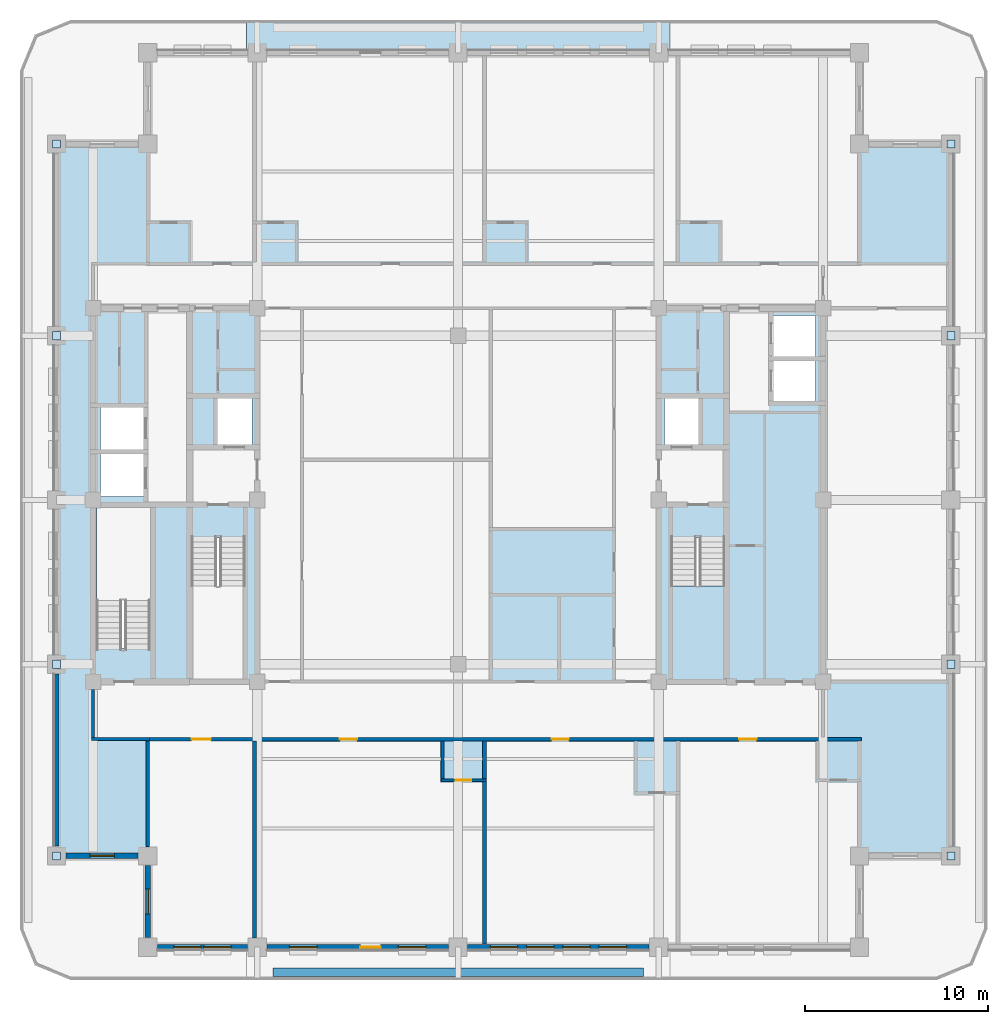
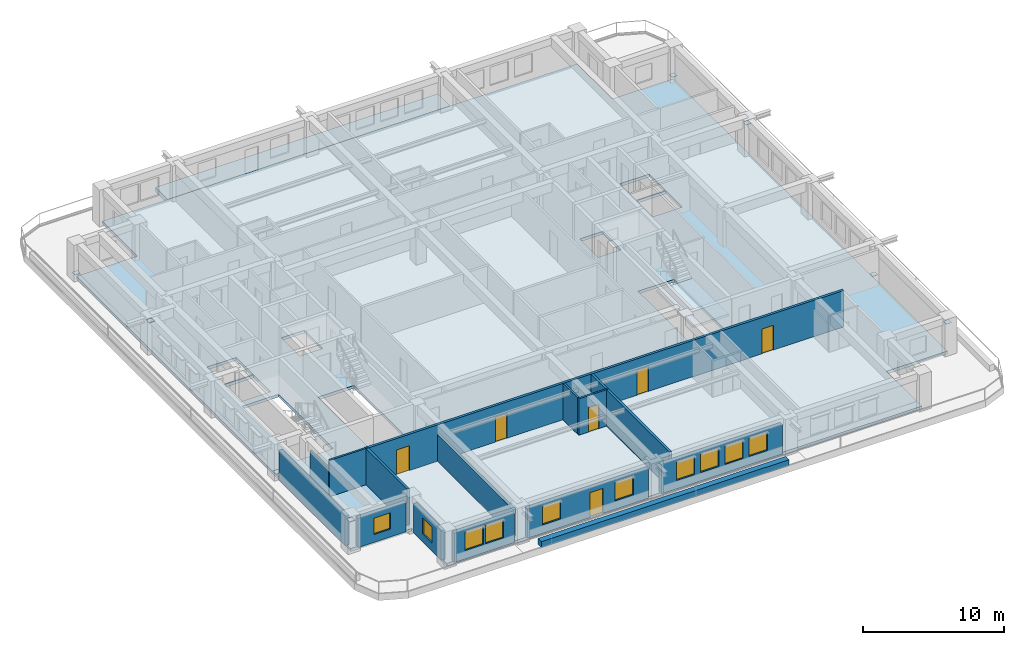
# One storey, part 2 of 14: 16 walls, 10 windows, 8 plates, 6 doors, 3 slabs, 16 openings, 1 element without a shape of its own.
"""IFC4 building model written with IfcOpenShell, lengths in metres."""

from ifc_helpers import new_model, si_unit, direction, frame, frame_2d, origin, origin_2d, place, context, subcontext, project, spatial, polyline, rectangle, outline, extrude, material, layer, layer_set, type_object, element, fill, aggregate, save


model = new_model("IFC4")

# Units and contexts
model_context = context("Model", 3, precision=1e-05, world=origin(), true_north=direction((0.0, 1.0)))
body_context = subcontext(model_context, "Body", "Model", "MODEL_VIEW")
ifc_project = project(units=[si_unit("LENGTHUNIT", "METRE"), si_unit("AREAUNIT", "SQUARE_METRE"), si_unit("VOLUMEUNIT", "CUBIC_METRE"), si_unit("PLANEANGLEUNIT", "RADIAN"), si_unit("MASSUNIT", "GRAM", prefix="KILO")], contexts=[model_context])

# Site, building, storey
site_placement = place(None, origin())
site = spatial("IfcSite", under=ifc_project, at=site_placement, CompositionType="ELEMENT")
building_placement = place(site_placement, origin())
building = spatial("IfcBuilding", under=site, at=building_placement, Name="Zulmaris Gate Convention Tower", CompositionType="ELEMENT")
storey_placement = place(building_placement, frame((0.0, 0.0, 162.659912109375)))
storey = spatial("IfcBuildingStorey", under=building, at=storey_placement, Name="L41", CompositionType="ELEMENT", Elevation=162.659912109375)

# Plates
ifc_material_1 = material(Name="Steel S460", Category="steel")
ifc_layer_1 = layer(ifc_material_1, 0.02490234375, Name="Steel S460")
ifc_layer_set_1 = layer_set([ifc_layer_1], Name="Steel S460")
plate_type = type_object("IfcPlateType", Name="NP-CAP-440", PredefinedType="USERDEFINED", material=ifc_layer_set_1)
for number, where, z_axis, x_axis, name in (
    (1, (-22.0, -9.0, 0.28759765625), (0.0, 0.0, 1.0), (1.0, 0.0, 0.0), "L41 Steel Node Plate PBR-L41-SW-W-CAP"),
    (2, (-22.0, -19.5, 2.517333984375), (0.0, 0.0, 1.0), (1.0, 0.0, 0.0), "L41 Steel Node Plate PBR-L41-SW-W-CAPB"),
    (3, (-22.0, 19.5, 0.28759765625), (0.0, 0.0, 1.0), (1.0, 0.0, 0.0), "L41 Steel Node Plate PBR-L41-NW-W-CAP"),
    (4, (-22.0, 9.0, 2.517333984375), (0.0, 0.0, 1.0), (1.0, 0.0, 0.0), "L41 Steel Node Plate PBR-L41-NW-W-CAPB"),
    (5, (27.0, -9.0, 0.28759765625), (0.0, 0.0, 1.0), (1.0, 0.0, 0.0), "L41 Steel Node Plate PBR-L41-SE-E-CAP"),
    (6, (27.0, -19.5, 2.517333984375), (0.0, 0.0, 1.0), (1.0, 0.0, 0.0), "L41 Steel Node Plate PBR-L41-SE-E-CAPB"),
    (7, (27.0, 19.5, 0.28759765625), (0.0, 0.0, 1.0), (1.0, 0.0, 0.0), "L41 Steel Node Plate PBR-L41-NE-E-CAP"),
    (8, (27.0, 9.0, 2.517333984375), (0.0, 0.0, 1.0), (1.0, 0.0, 0.0), "L41 Steel Node Plate PBR-L41-NE-E-CAPB"),
):
    element("IfcPlate", number, at=place(storey_placement, frame(where, z_axis=z_axis, x_axis=x_axis)), inside=storey, type_object=plate_type, Name=name, ObjectType="FLANGE PLATE", PredefinedType="USERDEFINED", context=body_context, shape_type="SweptSolid", body=[
        extrude(rectangle(XDim=0.43994140625, YDim=0.43994140625, at=origin_2d()), origin(), (0.0, 0.0, 1.0), 0.02490234375),
    ])

# Slabs
ifc_material_2 = material(Name="Precast concrete C50/60", Category="concrete")
ifc_layer_2 = layer(ifc_material_2, 0.239990234375, Name="Precast concrete C50/60")
ifc_layer_set_2 = layer_set([ifc_layer_2], Name="Precast concrete C50/60")
slab_type_1 = type_object("IfcSlabType", Name="SL-BAL-240", PredefinedType="FLOOR", material=ifc_layer_set_2)
slab_1_placement = place(storey_placement, frame((0.0, 0.0, -0.425048828125)))
element("IfcSlab", 9, at=slab_1_placement, inside=storey, type_object=slab_type_1, Name="L41 North Tree-Balcony Planter Slab", PredefinedType="FLOOR", context=body_context, shape_type="SweptSolid", body=[
    extrude(outline(polyline([(11.597900390625, 26.300048828125), (11.597900390625, 24.5), (-11.597900390625, 24.5), (-11.597900390625, 26.300048828125), (11.597900390625, 26.300048828125)])), origin(), (0.0, 0.0, 1.0), 0.385009765625),
])
ifc_material_3 = material(Name="Concrete C50/60", Category="concrete")
ifc_layer_3 = layer(ifc_material_3, 0.25, Name="Concrete C50/60")
ifc_layer_set_3 = layer_set([ifc_layer_3], Name="Concrete C50/60")
slab_type_2 = type_object("IfcSlabType", Name="SL-FLR-250", PredefinedType="FLOOR", material=ifc_layer_set_3)
slab_2_placement = place(storey_placement, frame((0.0, 0.0, -0.25)))
element("IfcSlab", 10, at=slab_2_placement, inside=storey, type_object=slab_type_2, Name="L41 Shifted Notched-Square Structural Floor Slab", PredefinedType="FLOOR", context=body_context, shape_type="SweptSolid", body=[
    extrude(outline(polyline([(-17.0, -24.5), (22.0, -24.5), (22.0, -19.5), (27.0, -19.5), (27.0, 19.5), (22.0, 19.5), (22.0, 24.5), (-17.0, 24.5), (-17.0, 19.5), (-22.0, 19.5), (-22.0, -19.5), (-17.0, -19.5), (-17.0, -24.5)]), holes=[polyline([(-14.6201171875, -2.080078125), (-14.6201171875, -9.85009765625), (-11.659912109375, -9.85009765625), (-11.659912109375, -2.080078125), (-14.6201171875, -2.080078125)]), polyline([(11.659912109375, -2.080078125), (11.659912109375, -9.85009765625), (14.6201171875, -9.85009765625), (14.6201171875, -2.080078125), (11.659912109375, -2.080078125)]), polyline([(-16.860107421875, -8.1201171875), (-16.860107421875, -0.35009765625), (-19.820068359375, -0.35009765625), (-19.820068359375, -8.1201171875), (-16.860107421875, -8.1201171875)]), polyline([(-13.199951171875, 3.0), (-11.300048828125, 3.0), (-11.300048828125, 5.60009765625), (-13.199951171875, 5.60009765625), (-13.199951171875, 3.0)]), polyline([(11.300048828125, 3.0), (13.199951171875, 3.0), (13.199951171875, 5.60009765625), (11.300048828125, 5.60009765625), (11.300048828125, 3.0)]), polyline([(17.199951171875, 5.39990234375), (19.60009765625, 5.39990234375), (19.60009765625, 7.699951171875), (17.199951171875, 7.699951171875), (17.199951171875, 5.39990234375)]), polyline([(17.199951171875, 7.800048828125), (19.60009765625, 7.800048828125), (19.60009765625, 10.10009765625), (17.199951171875, 10.10009765625), (17.199951171875, 7.800048828125)]), polyline([(-19.60009765625, 0.199951171875), (-17.199951171875, 0.199951171875), (-17.199951171875, 2.60009765625), (-19.60009765625, 2.60009765625), (-19.60009765625, 0.199951171875)]), polyline([(-19.60009765625, 2.699951171875), (-17.199951171875, 2.699951171875), (-17.199951171875, 5.10009765625), (-19.60009765625, 5.10009765625), (-19.60009765625, 2.699951171875)])]), origin(), (0.0, 0.0, 1.0), 0.25),
])

# Stair, slab
ifc_material_4 = material(Name="Concrete C45/55", Category="concrete")
stair_type = type_object("IfcStairType", Name="ST-CORE-DOGLEG", PredefinedType="HALF_TURN_STAIR", material=ifc_material_4)
stair_placement = place(storey_placement, origin())
stair = element("IfcStair", 11, at=stair_placement, inside=storey, type_object=stair_type, Name="L41 Core Exit Stair ST-2", PredefinedType="HALF_TURN_STAIR")
ifc_layer_4 = layer(ifc_material_4, 0.199951171875, Name="Concrete C45/55")
ifc_layer_set_4 = layer_set([ifc_layer_4], Name="Concrete C45/55")
slab_type_3 = type_object("IfcSlabType", Name="SL-LND-200", PredefinedType="LANDING", material=ifc_layer_set_4)
slab_3_placement = place(storey_placement, frame((0.0, 0.0, 1.5)))
slab_3 = element("IfcSlab", 12, at=slab_3_placement, type_object=slab_type_3, Name="ST-2 landing 1", PredefinedType="LANDING", context=body_context, shape_type="SweptSolid", body=[
    extrude(outline(polyline([(11.659912109375, -4.699951171875), (11.659912109375, -9.85009765625), (14.6201171875, -9.85009765625), (14.6201171875, -4.699951171875), (11.659912109375, -4.699951171875)])), origin(), (0.0, 0.0, 1.0), 0.199951171875),
])
aggregate(stair, [slab_3])

# Wall, opening, door
ifc_material_5 = material(Name="Gypsum Metal Stud Partition")
ifc_layer_5 = layer(ifc_material_5, 0.14990234375, Name="Gypsum Metal Stud Partition")
ifc_layer_set_5 = layer_set([ifc_layer_5], Name="Gypsum Metal Stud Partition")
wall_type_1 = type_object("IfcWallType", Name="PART-150", PredefinedType="PARTITIONING", material=ifc_layer_set_5)
wall_1_placement = place(storey_placement, frame((-0.925048828125, -15.35009765625, 0.0), z_axis=(0.0, 0.0, 1.0), x_axis=(1.0, 0.0, 0.0)))
wall_1 = element("IfcWall", 13, at=wall_1_placement, inside=storey, type_object=wall_type_1, Name="WL-L41-020", PredefinedType="PARTITIONING", context=body_context, shape_type="SweptSolid", body=[
    extrude(rectangle(XDim=2.47509765625, YDim=0.14990234375, at=frame_2d((1.237548828125, 0.0))), origin(), (0.0, 0.0, 1.0), 3.14990234375),
])
opening_1_placement = place(wall_1_placement, frame((0.800048828125, 0.0, 0.0)))
opening_1 = element("IfcOpeningElement", 14, at=opening_1_placement, cuts=wall_1, Name="Opening D-17", PredefinedType="OPENING", context=body_context, shape_type="SweptSolid", body=[
    extrude(rectangle(XDim=0.85009765625, YDim=2.10009765625, at=frame_2d((0.425048828125, 1.050048828125))), frame((0.0, 0.0849609375, 0.0), z_axis=(0.0, -1.0, 0.0), x_axis=(1.0, 0.0, 0.0)), (0.0, 0.0, 1.0), 0.169921875),
])
ifc_material_6 = material(Name="Moisture-Resistant Hardwood Timber", Category="wood")
door_type_1 = type_object("IfcDoorType", Name="DR-850", OperationType="NOTDEFINED", PredefinedType="DOOR", material=ifc_material_6)
door_1_placement = place(opening_1_placement, origin())
door_1 = element("IfcDoor", 15, at=door_1_placement, inside=storey, type_object=door_type_1, Name="L41 En-Suite Door 39", OperationType="SINGLE_SWING_RIGHT", OverallHeight=2.10009765625, OverallWidth=0.85009765625, PredefinedType="DOOR", context=body_context, shape_type="SweptSolid", body=[
    extrude(rectangle(XDim=0.85009765625, YDim=2.10009765625, at=frame_2d((0.425048828125, 1.050048828125))), frame((0.0, 0.02490234375, 0.0), z_axis=(0.0, -1.0, 0.0), x_axis=(1.0, 0.0, 0.0)), (0.0, 0.0, 1.0), 0.050048828125),
])
fill(opening_1, door_1)

# Walls
wall_2_placement = place(storey_placement, frame((-20.074951171875, -13.10009765625, 0.0), z_axis=(0.0, 0.0, 1.0), x_axis=(1.0, 0.0, 0.0)))
element("IfcWall", 16, at=wall_2_placement, inside=storey, type_object=wall_type_1, Name="WL-L41-022", PredefinedType="PARTITIONING", context=body_context, shape_type="SweptSolid", body=[
    extrude(rectangle(XDim=3.175048828125, YDim=0.14990234375, at=frame_2d((1.58740234375, 0.0))), origin(), (0.0, 0.0, 1.0), 3.14990234375),
])
wall_3_placement = place(storey_placement, frame((-20.0, -13.02197265625, 0.0), z_axis=(0.0, 0.0, 1.0), x_axis=(0.0, 1.0, 0.0)))
element("IfcWall", 17, at=wall_3_placement, inside=storey, type_object=wall_type_1, Name="WL-L41-074", PredefinedType="PARTITIONING", context=body_context, shape_type="SweptSolid", body=[
    extrude(rectangle(XDim=2.640869140625, YDim=0.14990234375, at=frame_2d((1.3203125, 0.0))), origin(), (0.0, 0.0, 1.0), 2.341796875),
])
wall_4_placement = place(storey_placement, frame((-0.85009765625, -15.27197265625, 0.0), z_axis=(0.0, 0.0, 1.0), x_axis=(0.0, 1.0, 0.0)))
element("IfcWall", 18, at=wall_4_placement, inside=storey, type_object=wall_type_1, Name="WL-L41-090", PredefinedType="PARTITIONING", context=body_context, shape_type="SweptSolid", body=[
    extrude(rectangle(XDim=2.069091796875, YDim=0.14990234375, at=frame_2d((1.03466796875, 0.0))), origin(), (0.0, 0.0, 1.0), 3.14990234375),
])

# Wall, openings, doors
ifc_material_7 = material(Name="Autoclaved Aerated Concrete Block and Plasterboard", Category="concrete")
ifc_layer_6 = layer(ifc_material_7, 0.199951171875, Name="Autoclaved Aerated Concrete Block and Plasterboard")
ifc_layer_set_6 = layer_set([ifc_layer_6], Name="Autoclaved Aerated Concrete Block and Plasterboard")
wall_type_2 = type_object("IfcWallType", Name="PART-200", PredefinedType="PARTITIONING", material=ifc_layer_set_6)
wall_5_placement = place(storey_placement, frame((-17.10009765625, -13.10009765625, 0.0), z_axis=(0.0, 0.0, 1.0), x_axis=(1.0, 0.0, 0.0)))
wall_5 = element("IfcWall", 19, at=wall_5_placement, inside=storey, type_object=wall_type_2, Name="WL-L41-023", PredefinedType="PARTITIONING", context=body_context, shape_type="SweptSolid", body=[
    extrude(rectangle(XDim=39.2001953125, YDim=0.199951171875, at=frame_2d((19.60009765625, 0.0))), origin(), (0.0, 0.0, 1.0), 3.14990234375),
])
opening_2_placement = place(wall_5_placement, frame((2.5048828125, 0.0, 0.0)))
opening_2 = element("IfcOpeningElement", 20, at=opening_2_placement, cuts=wall_5, Name="Opening D-09", PredefinedType="OPENING", context=body_context, shape_type="SweptSolid", body=[
    extrude(rectangle(XDim=1.050048828125, YDim=2.14990234375, at=frame_2d((0.52490234375, 1.074951171875))), frame((0.0, 0.10986328125, 0.0), z_axis=(0.0, -1.0, 0.0), x_axis=(1.0, 0.0, 0.0)), (0.0, 0.0, 1.0), 0.219970703125),
])
opening_3_placement = place(wall_5_placement, frame((10.625, 0.0, 0.0)))
opening_3 = element("IfcOpeningElement", 21, at=opening_3_placement, cuts=wall_5, Name="Opening D-11", PredefinedType="OPENING", context=body_context, shape_type="SweptSolid", body=[
    extrude(rectangle(XDim=0.949951171875, YDim=2.14990234375, at=frame_2d((0.47509765625, 1.074951171875))), frame((0.0, 0.10986328125, 0.0), z_axis=(0.0, -1.0, 0.0), x_axis=(1.0, 0.0, 0.0)), (0.0, 0.0, 1.0), 0.219970703125),
])
opening_4_placement = place(wall_5_placement, frame((22.22509765625, 0.0, 0.0)))
opening_4 = element("IfcOpeningElement", 22, at=opening_4_placement, cuts=wall_5, Name="Opening D-11", PredefinedType="OPENING", context=body_context, shape_type="SweptSolid", body=[
    extrude(rectangle(XDim=0.949951171875, YDim=2.14990234375, at=frame_2d((0.47509765625, 1.074951171875))), frame((0.0, 0.10986328125, 0.0), z_axis=(0.0, -1.0, 0.0), x_axis=(1.0, 0.0, 0.0)), (0.0, 0.0, 1.0), 0.219970703125),
])
opening_5_placement = place(wall_5_placement, frame((32.5048828125, 0.0, 0.0)))
opening_5 = element("IfcOpeningElement", 23, at=opening_5_placement, cuts=wall_5, Name="Opening D-11", PredefinedType="OPENING", context=body_context, shape_type="SweptSolid", body=[
    extrude(rectangle(XDim=0.949951171875, YDim=2.14990234375, at=frame_2d((0.47509765625, 1.074951171875))), frame((0.0, 0.10986328125, 0.0), z_axis=(0.0, -1.0, 0.0), x_axis=(1.0, 0.0, 0.0)), (0.0, 0.0, 1.0), 0.219970703125),
])
ifc_material_8 = material(Name="Fire-Rated Steel", Category="steel")
door_type_2 = type_object("IfcDoorType", Name="DR-1050-FD", OperationType="NOTDEFINED", PredefinedType="DOOR", material=ifc_material_8)
door_2_placement = place(opening_2_placement, origin())
door_2 = element("IfcDoor", 24, at=door_2_placement, inside=storey, type_object=door_type_2, Name="L41 Panorama Salon Door 37", OperationType="SINGLE_SWING_RIGHT", OverallHeight=2.14990234375, OverallWidth=1.050048828125, PredefinedType="DOOR", context=body_context, shape_type="SweptSolid", body=[
    extrude(rectangle(XDim=1.050048828125, YDim=2.14990234375, at=frame_2d((0.52490234375, 1.074951171875))), frame((0.0, 0.02490234375, 0.0), z_axis=(0.0, -1.0, 0.0), x_axis=(1.0, 0.0, 0.0)), (0.0, 0.0, 1.0), 0.050048828125),
])
fill(opening_2, door_2)
ifc_material_9 = material(Name="Fire-Rated Timber", Category="wood")
door_type_3 = type_object("IfcDoorType", Name="DR-950-FD", OperationType="NOTDEFINED", PredefinedType="DOOR", material=ifc_material_9)
door_3_placement = place(opening_3_placement, origin())
door_3 = element("IfcDoor", 25, at=door_3_placement, inside=storey, type_object=door_type_3, Name="L41 Hotel Executive Suite Door 38", OperationType="SINGLE_SWING_LEFT", OverallHeight=2.14990234375, OverallWidth=0.949951171875, PredefinedType="DOOR", context=body_context, shape_type="SweptSolid", body=[
    extrude(rectangle(XDim=0.949951171875, YDim=2.14990234375, at=frame_2d((0.47509765625, 1.074951171875))), frame((0.0, 0.02490234375, 0.0), z_axis=(0.0, -1.0, 0.0), x_axis=(1.0, 0.0, 0.0)), (0.0, 0.0, 1.0), 0.050048828125),
])
fill(opening_3, door_3)
door_4_placement = place(opening_4_placement, origin())
door_4 = element("IfcDoor", 26, at=door_4_placement, inside=storey, type_object=door_type_3, Name="L41 Hotel Executive Suite Door 40", OperationType="SINGLE_SWING_LEFT", OverallHeight=2.14990234375, OverallWidth=0.949951171875, PredefinedType="DOOR", context=body_context, shape_type="SweptSolid", body=[
    extrude(rectangle(XDim=0.949951171875, YDim=2.14990234375, at=frame_2d((0.47509765625, 1.074951171875))), frame((0.0, 0.02490234375, 0.0), z_axis=(0.0, -1.0, 0.0), x_axis=(1.0, 0.0, 0.0)), (0.0, 0.0, 1.0), 0.050048828125),
])
fill(opening_4, door_4)
door_5_placement = place(opening_5_placement, origin())
door_5 = element("IfcDoor", 27, at=door_5_placement, inside=storey, type_object=door_type_3, Name="L41 Hotel Executive Suite Door 42", OperationType="SINGLE_SWING_LEFT", OverallHeight=2.14990234375, OverallWidth=0.949951171875, PredefinedType="DOOR", context=body_context, shape_type="SweptSolid", body=[
    extrude(rectangle(XDim=0.949951171875, YDim=2.14990234375, at=frame_2d((0.47509765625, 1.074951171875))), frame((0.0, 0.02490234375, 0.0), z_axis=(0.0, -1.0, 0.0), x_axis=(1.0, 0.0, 0.0)), (0.0, 0.0, 1.0), 0.050048828125),
])
fill(opening_5, door_5)

# Walls
wall_6_placement = place(storey_placement, frame((-17.0, -18.993896484375, 0.0), z_axis=(0.0, 0.0, 1.0), x_axis=(0.0, 1.0, 0.0)))
element("IfcWall", 28, at=wall_6_placement, inside=storey, type_object=wall_type_2, Name="WL-L41-078", PredefinedType="PARTITIONING", context=body_context, shape_type="SweptSolid", body=[
    extrude(rectangle(XDim=5.791015625, YDim=0.199951171875, at=frame_2d((2.8955078125, 0.0))), origin(), (0.0, 0.0, 1.0), 3.14990234375),
])
wall_7_placement = place(storey_placement, frame((-11.14990234375, -23.993896484375, 0.0), z_axis=(0.0, 0.0, 1.0), x_axis=(0.0, 1.0, 0.0)))
element("IfcWall", 29, at=wall_7_placement, inside=storey, type_object=wall_type_2, Name="WL-L41-084", PredefinedType="PARTITIONING", context=body_context, shape_type="SweptSolid", body=[
    extrude(rectangle(XDim=10.791015625, YDim=0.199951171875, at=frame_2d((5.3955078125, 0.0))), origin(), (0.0, 0.0, 1.0), 2.341796875),
])
wall_8_placement = place(storey_placement, frame((1.449951171875, -24.3349609375, 0.0), z_axis=(0.0, 0.0, 1.0), x_axis=(0.0, 1.0, 0.0)))
element("IfcWall", 30, at=wall_8_placement, inside=storey, type_object=wall_type_2, Name="WL-L41-091", PredefinedType="PARTITIONING", context=body_context, shape_type="SweptSolid", body=[
    extrude(rectangle(XDim=8.906982421875, YDim=0.199951171875, at=frame_2d((4.45361328125, 0.0))), origin(), (0.0, 0.0, 1.0), 3.14990234375),
])
wall_9_placement = place(storey_placement, frame((1.449951171875, -15.27197265625, 0.0), z_axis=(0.0, 0.0, 1.0), x_axis=(0.0, 1.0, 0.0)))
element("IfcWall", 31, at=wall_9_placement, inside=storey, type_object=wall_type_2, Name="WL-L41-092", PredefinedType="PARTITIONING", context=body_context, shape_type="SweptSolid", body=[
    extrude(rectangle(XDim=2.069091796875, YDim=0.199951171875, at=frame_2d((1.03466796875, 0.0))), origin(), (0.0, 0.0, 1.0), 3.14990234375),
])
ifc_material_10 = material(Name="Botanical Green Glazed Precast Concrete C40/50", Category="concrete")
ifc_layer_7 = layer(ifc_material_10, 0.419921875, Name="Botanical Green Glazed Precast Concrete C40/50")
ifc_layer_set_7 = layer_set([ifc_layer_7], Name="Botanical Green Glazed Precast Concrete C40/50")
wall_type_3 = type_object("IfcWallType", Name="PLANTER-CURB-200", PredefinedType="PARAPET", material=ifc_layer_set_7)
wall_10_placement = place(storey_placement, frame((-10.14990234375, -25.8798828125, -0.0400390625), z_axis=(0.0, 0.0, 1.0), x_axis=(1.0, 0.0, 0.0)))
element("IfcWall", 32, at=wall_10_placement, inside=storey, type_object=wall_type_3, Name="L41 Full-Length Balcony Tree Planter Trough", PredefinedType="PARAPET", context=body_context, shape_type="SweptSolid", body=[
    extrude(rectangle(XDim=20.2998046875, YDim=0.47998046875, at=frame_2d((10.14990234375, 0.0))), origin(), (0.0, 0.0, 1.0), 0.52001953125),
])

# Wall, opening, window
ifc_material_11 = material(Name="Precast concrete C40/50", Category="concrete")
ifc_layer_8 = layer(ifc_material_11, 0.300048828125, Name="Precast concrete C40/50")
ifc_layer_set_8 = layer_set([ifc_layer_8], Name="Precast concrete C40/50")
wall_type_4 = type_object("IfcWallType", Name="PRECAST-PIER-300", PredefinedType="STANDARD", material=ifc_layer_set_8)
wall_11_placement = place(storey_placement, frame((-21.469970703125, -19.5, 0.0), z_axis=(0.0, 0.0, 1.0), x_axis=(1.0, 0.0, 0.0)))
wall_11 = element("IfcWall", 33, at=wall_11_placement, inside=storey, type_object=wall_type_4, Name="EW-L41-NOTCH-SW1_0", PredefinedType="STANDARD", context=body_context, shape_type="SweptSolid", body=[
    extrude(rectangle(XDim=3.93994140625, YDim=0.300048828125, at=frame_2d((1.969970703125, 0.0))), origin(), (0.0, 0.0, 1.0), 2.5419921875),
])
opening_6_placement = place(wall_11_placement, frame((1.294921875, 0.0, 0.679931640625)))
opening_6 = element("IfcOpeningElement", 34, at=opening_6_placement, cuts=wall_11, Name="Opening W-10", PredefinedType="OPENING", context=body_context, shape_type="SweptSolid", body=[
    extrude(rectangle(XDim=1.35009765625, YDim=1.419921875, at=frame_2d((0.675048828125, 0.7099609375))), frame((0.0, 0.16015625, 0.0), z_axis=(0.0, -1.0, 0.0), x_axis=(1.0, 0.0, 0.0)), (0.0, 0.0, 1.0), 0.320068359375),
])
ifc_material_12 = material(Name="Low-E Laminated Double Glazing in Aluminium Frame", Category="aluminium")
window_type_1 = type_object("IfcWindowType", Name="WIN-1350x2000", PartitioningType="SINGLE_PANEL", PredefinedType="WINDOW", material=ifc_material_12)
window_1_placement = place(opening_6_placement, origin())
window_1 = element("IfcWindow", 35, at=window_1_placement, inside=storey, type_object=window_type_1, Name="WN-EW-L41-NOTCH-SW1_0", OverallHeight=1.419921875, OverallWidth=1.35009765625, PartitioningType="SINGLE_PANEL", PredefinedType="WINDOW", context=body_context, shape_type="SweptSolid", body=[
    extrude(rectangle(XDim=1.35009765625, YDim=1.419921875, at=frame_2d((0.675048828125, 0.7099609375))), frame((0.0, 0.030029296875, 0.0), z_axis=(0.0, -1.0, 0.0), x_axis=(1.0, 0.0, 0.0)), (0.0, 0.0, 1.0), 0.06005859375),
])
fill(opening_6, window_1)

wall_12_placement = place(storey_placement, frame((-17.0, -20.030029296875, 0.0), z_axis=(0.0, 0.0, 1.0), x_axis=(0.0, -1.0, 0.0)))
wall_12 = element("IfcWall", 36, at=wall_12_placement, inside=storey, type_object=wall_type_4, Name="EW-L41-NOTCH-SW2_0", PredefinedType="STANDARD", context=body_context, shape_type="SweptSolid", body=[
    extrude(rectangle(XDim=3.93994140625, YDim=0.300048828125, at=frame_2d((1.969970703125, 0.0))), origin(), (0.0, 0.0, 1.0), 2.5419921875),
])
opening_7_placement = place(wall_12_placement, frame((1.294921875, 0.0, 0.679931640625)))
opening_7 = element("IfcOpeningElement", 37, at=opening_7_placement, cuts=wall_12, Name="Opening W-10", PredefinedType="OPENING", context=body_context, shape_type="SweptSolid", body=[
    extrude(rectangle(XDim=1.35009765625, YDim=1.419921875, at=frame_2d((0.675048828125, 0.7099609375))), frame((0.0, 0.16015625, 0.0), z_axis=(0.0, -1.0, 0.0), x_axis=(1.0, 0.0, 0.0)), (0.0, 0.0, 1.0), 0.320068359375),
])
window_2_placement = place(opening_7_placement, origin())
window_2 = element("IfcWindow", 38, at=window_2_placement, inside=storey, type_object=window_type_1, Name="WN-EW-L41-NOTCH-SW2_0", OverallHeight=1.419921875, OverallWidth=1.35009765625, PartitioningType="SINGLE_PANEL", PredefinedType="WINDOW", context=body_context, shape_type="SweptSolid", body=[
    extrude(rectangle(XDim=1.35009765625, YDim=1.419921875, at=frame_2d((0.675048828125, 0.7099609375))), frame((0.0, 0.030029296875, 0.0), z_axis=(0.0, -1.0, 0.0), x_axis=(1.0, 0.0, 0.0)), (0.0, 0.0, 1.0), 0.06005859375),
])
fill(opening_7, window_2)

# Wall, openings, windows
wall_13_placement = place(storey_placement, frame((-16.469970703125, -24.5, 0.0), z_axis=(0.0, 0.0, 1.0), x_axis=(1.0, 0.0, 0.0)))
wall_13 = element("IfcWall", 39, at=wall_13_placement, inside=storey, type_object=wall_type_4, Name="EW-L41-S-0_0", PredefinedType="STANDARD", context=body_context, shape_type="SweptSolid", body=[
    extrude(rectangle(XDim=4.93994140625, YDim=0.300048828125, at=frame_2d((2.469970703125, 0.0))), origin(), (0.0, 0.0, 1.0), 2.5419921875),
])
opening_8_placement = place(wall_13_placement, frame((0.89697265625, 0.0, 0.719970703125)))
opening_8 = element("IfcOpeningElement", 40, at=opening_8_placement, cuts=wall_13, Name="Opening W-03", PredefinedType="OPENING", context=body_context, shape_type="SweptSolid", body=[
    extrude(rectangle(XDim=1.5, YDim=1.60009765625, at=frame_2d((0.75, 0.800048828125))), frame((0.0, 0.16015625, 0.0), z_axis=(0.0, -1.0, 0.0), x_axis=(1.0, 0.0, 0.0)), (0.0, 0.0, 1.0), 0.320068359375),
])
opening_9_placement = place(wall_13_placement, frame((2.54296875, 0.0, 0.719970703125)))
opening_9 = element("IfcOpeningElement", 41, at=opening_9_placement, cuts=wall_13, Name="Opening W-03", PredefinedType="OPENING", context=body_context, shape_type="SweptSolid", body=[
    extrude(rectangle(XDim=1.5, YDim=1.60009765625, at=frame_2d((0.75, 0.800048828125))), frame((0.0, 0.16015625, 0.0), z_axis=(0.0, -1.0, 0.0), x_axis=(1.0, 0.0, 0.0)), (0.0, 0.0, 1.0), 0.320068359375),
])
window_type_2 = type_object("IfcWindowType", Name="WIN-1500x2100", PartitioningType="SINGLE_PANEL", PredefinedType="WINDOW", material=ifc_material_12)
window_3_placement = place(opening_8_placement, origin())
window_3 = element("IfcWindow", 42, at=window_3_placement, inside=storey, type_object=window_type_2, Name="WN-EW-L41-S-0_0-1", OverallHeight=1.60009765625, OverallWidth=1.5, PartitioningType="SINGLE_PANEL", PredefinedType="WINDOW", context=body_context, shape_type="SweptSolid", body=[
    extrude(rectangle(XDim=1.5, YDim=1.60009765625, at=frame_2d((0.75, 0.800048828125))), frame((0.0, 0.030029296875, 0.0), z_axis=(0.0, -1.0, 0.0), x_axis=(1.0, 0.0, 0.0)), (0.0, 0.0, 1.0), 0.06005859375),
])
fill(opening_8, window_3)
window_4_placement = place(opening_9_placement, origin())
window_4 = element("IfcWindow", 43, at=window_4_placement, inside=storey, type_object=window_type_2, Name="WN-EW-L41-S-0_0-2", OverallHeight=1.60009765625, OverallWidth=1.5, PartitioningType="SINGLE_PANEL", PredefinedType="WINDOW", context=body_context, shape_type="SweptSolid", body=[
    extrude(rectangle(XDim=1.5, YDim=1.60009765625, at=frame_2d((0.75, 0.800048828125))), frame((0.0, 0.030029296875, 0.0), z_axis=(0.0, -1.0, 0.0), x_axis=(1.0, 0.0, 0.0)), (0.0, 0.0, 1.0), 0.06005859375),
])
fill(opening_9, window_4)

# Wall, openings, door, windows
wall_14_placement = place(storey_placement, frame((-10.469970703125, -24.5, 0.0), z_axis=(0.0, 0.0, 1.0), x_axis=(1.0, 0.0, 0.0)))
wall_14 = element("IfcWall", 44, at=wall_14_placement, inside=storey, type_object=wall_type_4, Name="EW-L41-S-1_0", PredefinedType="STANDARD", context=body_context, shape_type="SweptSolid", body=[
    extrude(rectangle(XDim=9.93994140625, YDim=0.300048828125, at=frame_2d((4.969970703125, 0.0))), origin(), (0.0, 0.0, 1.0), 2.5419921875),
])
opening_10_placement = place(wall_14_placement, frame((5.123046875, 0.0, 0.0)))
opening_10 = element("IfcOpeningElement", 45, at=opening_10_placement, cuts=wall_14, Name="Opening D-04", PredefinedType="OPENING", context=body_context, shape_type="SweptSolid", body=[
    extrude(rectangle(XDim=1.10009765625, YDim=2.14990234375, at=frame_2d((0.550048828125, 1.074951171875))), frame((0.0, 0.16015625, 0.0), z_axis=(0.0, -1.0, 0.0), x_axis=(1.0, 0.0, 0.0)), (0.0, 0.0, 1.0), 0.320068359375),
])
opening_11_placement = place(wall_14_placement, frame((1.238037109375, 0.0, 0.719970703125)))
opening_11 = element("IfcOpeningElement", 46, at=opening_11_placement, cuts=wall_14, Name="Opening W-03", PredefinedType="OPENING", context=body_context, shape_type="SweptSolid", body=[
    extrude(rectangle(XDim=1.5, YDim=1.60009765625, at=frame_2d((0.75, 0.800048828125))), frame((0.0, 0.16015625, 0.0), z_axis=(0.0, -1.0, 0.0), x_axis=(1.0, 0.0, 0.0)), (0.0, 0.0, 1.0), 0.320068359375),
])
opening_12_placement = place(wall_14_placement, frame((7.201904296875, 0.0, 0.719970703125)))
opening_12 = element("IfcOpeningElement", 47, at=opening_12_placement, cuts=wall_14, Name="Opening W-03", PredefinedType="OPENING", context=body_context, shape_type="SweptSolid", body=[
    extrude(rectangle(XDim=1.5, YDim=1.60009765625, at=frame_2d((0.75, 0.800048828125))), frame((0.0, 0.16015625, 0.0), z_axis=(0.0, -1.0, 0.0), x_axis=(1.0, 0.0, 0.0)), (0.0, 0.0, 1.0), 0.320068359375),
])
ifc_material_13 = material(Name="Anodised Aluminium and Laminated Glass", Category="aluminium")
door_type_4 = type_object("IfcDoorType", Name="ED-1100", OperationType="SINGLE_SWING_RIGHT", PredefinedType="DOOR", material=ifc_material_13)
door_6_placement = place(opening_10_placement, origin())
door_6 = element("IfcDoor", 48, at=door_6_placement, inside=storey, type_object=door_type_4, Name="L41 S Planted Terrace Door", OperationType="SINGLE_SWING_RIGHT", OverallHeight=2.14990234375, OverallWidth=1.10009765625, PredefinedType="DOOR", context=body_context, shape_type="SweptSolid", body=[
    extrude(rectangle(XDim=1.10009765625, YDim=2.14990234375, at=frame_2d((0.550048828125, 1.074951171875))), frame((0.0, 0.02490234375, 0.0), z_axis=(0.0, -1.0, 0.0), x_axis=(1.0, 0.0, 0.0)), (0.0, 0.0, 1.0), 0.050048828125),
])
fill(opening_10, door_6)
window_5_placement = place(opening_11_placement, origin())
window_5 = element("IfcWindow", 49, at=window_5_placement, inside=storey, type_object=window_type_2, Name="WN-EW-L41-S-1_0-1", OverallHeight=1.60009765625, OverallWidth=1.5, PartitioningType="SINGLE_PANEL", PredefinedType="WINDOW", context=body_context, shape_type="SweptSolid", body=[
    extrude(rectangle(XDim=1.5, YDim=1.60009765625, at=frame_2d((0.75, 0.800048828125))), frame((0.0, 0.030029296875, 0.0), z_axis=(0.0, -1.0, 0.0), x_axis=(1.0, 0.0, 0.0)), (0.0, 0.0, 1.0), 0.06005859375),
])
fill(opening_11, window_5)
window_6_placement = place(opening_12_placement, origin())
window_6 = element("IfcWindow", 50, at=window_6_placement, inside=storey, type_object=window_type_2, Name="WN-EW-L41-S-1_0-4", OverallHeight=1.60009765625, OverallWidth=1.5, PartitioningType="SINGLE_PANEL", PredefinedType="WINDOW", context=body_context, shape_type="SweptSolid", body=[
    extrude(rectangle(XDim=1.5, YDim=1.60009765625, at=frame_2d((0.75, 0.800048828125))), frame((0.0, 0.030029296875, 0.0), z_axis=(0.0, -1.0, 0.0), x_axis=(1.0, 0.0, 0.0)), (0.0, 0.0, 1.0), 0.06005859375),
])
fill(opening_12, window_6)

# Wall, openings, windows
wall_15_placement = place(storey_placement, frame((0.530029296875, -24.5, 0.0), z_axis=(0.0, 0.0, 1.0), x_axis=(1.0, 0.0, 0.0)))
wall_15 = element("IfcWall", 51, at=wall_15_placement, inside=storey, type_object=wall_type_4, Name="EW-L41-S-2_0", PredefinedType="STANDARD", context=body_context, shape_type="SweptSolid", body=[
    extrude(rectangle(XDim=9.93994140625, YDim=0.300048828125, at=frame_2d((4.969970703125, 0.0))), origin(), (0.0, 0.0, 1.0), 2.5419921875),
])
opening_13_placement = place(wall_15_placement, frame((1.238037109375, 0.0, 0.719970703125)))
opening_13 = element("IfcOpeningElement", 52, at=opening_13_placement, cuts=wall_15, Name="Opening W-03", PredefinedType="OPENING", context=body_context, shape_type="SweptSolid", body=[
    extrude(rectangle(XDim=1.5, YDim=1.60009765625, at=frame_2d((0.75, 0.800048828125))), frame((0.0, 0.16015625, 0.0), z_axis=(0.0, -1.0, 0.0), x_axis=(1.0, 0.0, 0.0)), (0.0, 0.0, 1.0), 0.320068359375),
])
opening_14_placement = place(wall_15_placement, frame((3.22607421875, 0.0, 0.719970703125)))
opening_14 = element("IfcOpeningElement", 53, at=opening_14_placement, cuts=wall_15, Name="Opening W-03", PredefinedType="OPENING", context=body_context, shape_type="SweptSolid", body=[
    extrude(rectangle(XDim=1.5, YDim=1.60009765625, at=frame_2d((0.75, 0.800048828125))), frame((0.0, 0.16015625, 0.0), z_axis=(0.0, -1.0, 0.0), x_axis=(1.0, 0.0, 0.0)), (0.0, 0.0, 1.0), 0.320068359375),
])
opening_15_placement = place(wall_15_placement, frame((5.214111328125, 0.0, 0.719970703125)))
opening_15 = element("IfcOpeningElement", 54, at=opening_15_placement, cuts=wall_15, Name="Opening W-03", PredefinedType="OPENING", context=body_context, shape_type="SweptSolid", body=[
    extrude(rectangle(XDim=1.5, YDim=1.60009765625, at=frame_2d((0.75, 0.800048828125))), frame((0.0, 0.16015625, 0.0), z_axis=(0.0, -1.0, 0.0), x_axis=(1.0, 0.0, 0.0)), (0.0, 0.0, 1.0), 0.320068359375),
])
opening_16_placement = place(wall_15_placement, frame((7.201904296875, 0.0, 0.719970703125)))
opening_16 = element("IfcOpeningElement", 55, at=opening_16_placement, cuts=wall_15, Name="Opening W-03", PredefinedType="OPENING", context=body_context, shape_type="SweptSolid", body=[
    extrude(rectangle(XDim=1.5, YDim=1.60009765625, at=frame_2d((0.75, 0.800048828125))), frame((0.0, 0.16015625, 0.0), z_axis=(0.0, -1.0, 0.0), x_axis=(1.0, 0.0, 0.0)), (0.0, 0.0, 1.0), 0.320068359375),
])
window_7_placement = place(opening_13_placement, origin())
window_7 = element("IfcWindow", 56, at=window_7_placement, inside=storey, type_object=window_type_2, Name="WN-EW-L41-S-2_0-1", OverallHeight=1.60009765625, OverallWidth=1.5, PartitioningType="SINGLE_PANEL", PredefinedType="WINDOW", context=body_context, shape_type="SweptSolid", body=[
    extrude(rectangle(XDim=1.5, YDim=1.60009765625, at=frame_2d((0.75, 0.800048828125))), frame((0.0, 0.030029296875, 0.0), z_axis=(0.0, -1.0, 0.0), x_axis=(1.0, 0.0, 0.0)), (0.0, 0.0, 1.0), 0.06005859375),
])
fill(opening_13, window_7)
window_8_placement = place(opening_14_placement, origin())
window_8 = element("IfcWindow", 57, at=window_8_placement, inside=storey, type_object=window_type_2, Name="WN-EW-L41-S-2_0-2", OverallHeight=1.60009765625, OverallWidth=1.5, PartitioningType="SINGLE_PANEL", PredefinedType="WINDOW", context=body_context, shape_type="SweptSolid", body=[
    extrude(rectangle(XDim=1.5, YDim=1.60009765625, at=frame_2d((0.75, 0.800048828125))), frame((0.0, 0.030029296875, 0.0), z_axis=(0.0, -1.0, 0.0), x_axis=(1.0, 0.0, 0.0)), (0.0, 0.0, 1.0), 0.06005859375),
])
fill(opening_14, window_8)
window_9_placement = place(opening_15_placement, origin())
window_9 = element("IfcWindow", 58, at=window_9_placement, inside=storey, type_object=window_type_2, Name="WN-EW-L41-S-2_0-3", OverallHeight=1.60009765625, OverallWidth=1.5, PartitioningType="SINGLE_PANEL", PredefinedType="WINDOW", context=body_context, shape_type="SweptSolid", body=[
    extrude(rectangle(XDim=1.5, YDim=1.60009765625, at=frame_2d((0.75, 0.800048828125))), frame((0.0, 0.030029296875, 0.0), z_axis=(0.0, -1.0, 0.0), x_axis=(1.0, 0.0, 0.0)), (0.0, 0.0, 1.0), 0.06005859375),
])
fill(opening_15, window_9)
window_10_placement = place(opening_16_placement, origin())
window_10 = element("IfcWindow", 59, at=window_10_placement, inside=storey, type_object=window_type_2, Name="WN-EW-L41-S-2_0-4", OverallHeight=1.60009765625, OverallWidth=1.5, PartitioningType="SINGLE_PANEL", PredefinedType="WINDOW", context=body_context, shape_type="SweptSolid", body=[
    extrude(rectangle(XDim=1.5, YDim=1.60009765625, at=frame_2d((0.75, 0.800048828125))), frame((0.0, 0.030029296875, 0.0), z_axis=(0.0, -1.0, 0.0), x_axis=(1.0, 0.0, 0.0)), (0.0, 0.0, 1.0), 0.06005859375),
])
fill(opening_16, window_10)

# Wall
wall_16_placement = place(storey_placement, frame((-22.0, -9.530029296875, 0.0), z_axis=(0.0, 0.0, 1.0), x_axis=(0.0, -1.0, 0.0)))
element("IfcWall", 60, at=wall_16_placement, inside=storey, type_object=wall_type_4, Name="EW-L41-W-0_0", PredefinedType="STANDARD", context=body_context, shape_type="SweptSolid", body=[
    extrude(rectangle(XDim=9.43994140625, YDim=0.300048828125, at=frame_2d((4.719970703125, 0.0))), origin(), (0.0, 0.0, 1.0), 2.5419921875),
])

save(model, "model.ifc")
